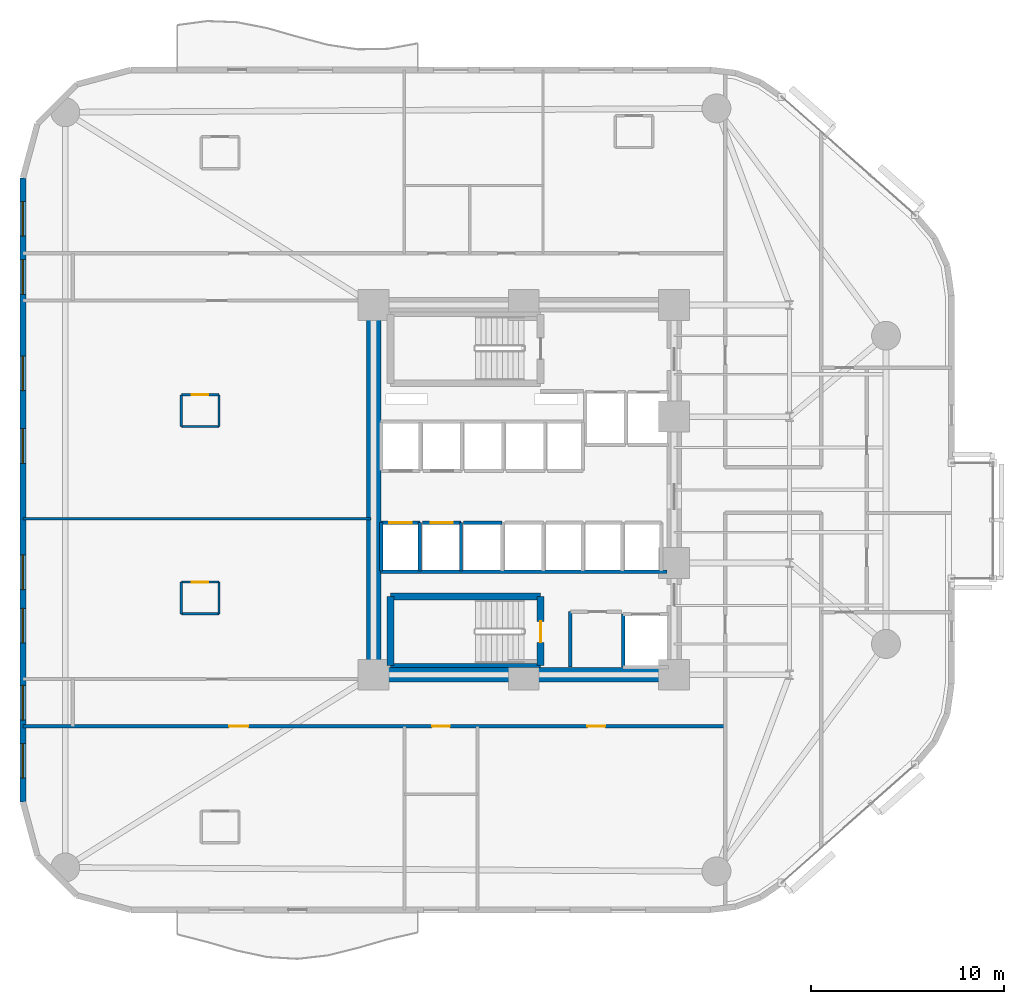
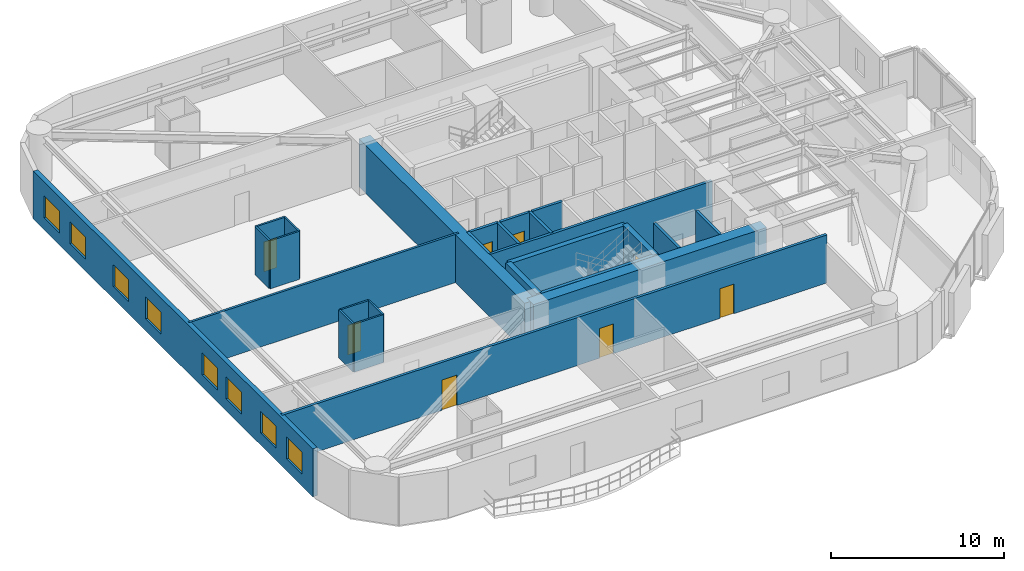
# One storey, part 10 of 16: 26 walls, 8 doors, 8 windows, 16 openings.
"""IFC4 building model written with IfcOpenShell, lengths in metres."""

from ifc_helpers import new_model, si_unit, direction, frame, frame_2d, origin, place, context, subcontext, project, spatial, rectangle, extrude, material, layer, layer_set, type_object, element, fill, save


model = new_model("IFC4")

# Units and contexts
model_context = context("Model", 3, precision=1e-05, world=origin(), true_north=direction((0.0, 1.0)))
body_context = subcontext(model_context, "Body", "Model", "MODEL_VIEW")
ifc_project = project(units=[si_unit("LENGTHUNIT", "METRE"), si_unit("AREAUNIT", "SQUARE_METRE"), si_unit("VOLUMEUNIT", "CUBIC_METRE"), si_unit("PLANEANGLEUNIT", "RADIAN"), si_unit("MASSUNIT", "GRAM", prefix="KILO")], contexts=[model_context])

# Site, building, storey
site_placement = place(None, origin())
site = spatial("IfcSite", under=ifc_project, at=site_placement, CompositionType="ELEMENT")
building_placement = place(site_placement, origin())
building = spatial("IfcBuilding", under=site, at=building_placement, Name="An Khanh Terracotta Commons", CompositionType="ELEMENT")
storey_placement = place(building_placement, frame((0.0, 0.0, 57.60009765625)))
storey = spatial("IfcBuildingStorey", under=building, at=storey_placement, Name="L15", CompositionType="ELEMENT", Elevation=57.60009765625)

# Walls
ifc_material_1 = material(Name="Concrete C70/85", Category="concrete")
ifc_layer_1 = layer(ifc_material_1, 0.75, Name="Concrete C70/85")
ifc_layer_set_1 = layer_set([ifc_layer_1], Name="Concrete C70/85")
wall_type_1 = type_object("IfcWallType", Name="WALL-CORE-750", PredefinedType="SHEAR", material=ifc_layer_set_1)
wall_1_placement = place(storey_placement, frame((21.60009765625, 14.39990234375, 0.0), z_axis=(0.0, 0.0, 1.0), x_axis=(0.0, 1.0, 0.0)))
element("IfcWall", 1, at=wall_1_placement, inside=storey, type_object=wall_type_1, Name="L15 Core Wall CWALL-L15-W", PredefinedType="SHEAR", context=body_context, shape_type="SweptSolid", body=[
    extrude(rectangle(XDim=19.2001953125, YDim=0.75, at=frame_2d((9.60009765625, 0.0))), origin(), (0.0, 0.0, 1.0), 3.39990234375),
])
wall_2_placement = place(storey_placement, frame((37.199951171875, 14.39990234375, 0.0), z_axis=(0.0, 0.0, 1.0), x_axis=(-1.0, 0.0, 0.0)))
element("IfcWall", 2, at=wall_2_placement, inside=storey, type_object=wall_type_1, Name="L15 Core Wall CWALL-L15-S", PredefinedType="SHEAR", context=body_context, shape_type="SweptSolid", body=[
    extrude(rectangle(XDim=15.599853515625, YDim=0.75, at=frame_2d((7.7998046875, 0.0))), origin(), (0.0, 0.0, 1.0), 3.39990234375),
])
ifc_material_2 = material(Name="Fire-Rated Gypsum Board on Steel Stud", Category="steel")
ifc_layer_2 = layer(ifc_material_2, 0.179931640625, Name="Fire-Rated Gypsum Board on Steel Stud")
ifc_layer_set_2 = layer_set([ifc_layer_2], Name="Fire-Rated Gypsum Board on Steel Stud")
wall_type_2 = type_object("IfcWallType", Name="WALL-CORR-180", PredefinedType="PARTITIONING", material=ifc_layer_set_2)
wall_3_placement = place(storey_placement, frame((21.949951171875, 19.760009765625, 0.0), z_axis=(0.0, 0.0, 1.0), x_axis=(1.0, 0.0, 0.0)))
element("IfcWall", 3, at=wall_3_placement, inside=storey, type_object=wall_type_2, Name="L15 Core Wall SVW-L15-N", PredefinedType="PARTITIONING", context=body_context, shape_type="SweptSolid", body=[
    extrude(rectangle(XDim=14.8701171875, YDim=0.179931640625, at=frame_2d((7.43505859375, 0.0))), origin(), (0.0, 0.0, 1.0), 3.39990234375),
])
wall_4_placement = place(storey_placement, frame((31.820068359375, 14.800048828125, 0.0), z_axis=(0.0, 0.0, 1.0), x_axis=(0.0, 1.0, 0.0)))
element("IfcWall", 4, at=wall_4_placement, inside=storey, type_object=wall_type_2, Name="L15 Core Wall SSVCW-L15-W", PredefinedType="PARTITIONING", context=body_context, shape_type="SweptSolid", body=[
    extrude(rectangle(XDim=2.8798828125, YDim=0.179931640625, at=frame_2d((1.43994140625, 0.0))), origin(), (0.0, 0.0, 1.0), 3.39990234375),
])
wall_5_placement = place(storey_placement, frame((34.550048828125, 17.550048828125, 0.0), z_axis=(0.0, 0.0, 1.0), x_axis=(0.0, -1.0, 0.0)))
element("IfcWall", 5, at=wall_5_placement, inside=storey, type_object=wall_type_2, Name="L15 Core Wall LSH-L15-SVL-01-W", PredefinedType="PARTITIONING", context=body_context, shape_type="SweptSolid", body=[
    extrude(rectangle(XDim=2.75, YDim=0.179931640625, at=frame_2d((1.375, 0.0))), origin(), (0.0, 0.0, 1.0), 3.39990234375),
])

# Wall, opening, door
wall_6_placement = place(storey_placement, frame((22.0, 22.300048828125, 0.0), z_axis=(0.0, 0.0, 1.0), x_axis=(1.0, 0.0, 0.0)))
wall_6 = element("IfcWall", 6, at=wall_6_placement, inside=storey, type_object=wall_type_2, Name="L15 Core Wall LSH-L15-PL-L3-N", PredefinedType="PARTITIONING", context=body_context, shape_type="SweptSolid", body=[
    extrude(rectangle(XDim=2.0, YDim=0.179931640625, at=frame_2d((1.0, 0.0))), origin(), (0.0, 0.0, 1.0), 3.39990234375),
])
opening_1_placement = place(wall_6_placement, frame((0.425048828125, 0.0, 0.0)))
opening_1 = element("IfcOpeningElement", 7, at=opening_1_placement, cuts=wall_6, Name="Opening LD-PL-L3-L15", PredefinedType="OPENING", context=body_context, shape_type="SweptSolid", body=[
    extrude(rectangle(XDim=1.14990234375, YDim=2.199951171875, at=frame_2d((0.574951171875, 1.10009765625))), frame((0.0, 0.099853515625, 0.0), z_axis=(0.0, -1.0, 0.0), x_axis=(1.0, 0.0, 0.0)), (0.0, 0.0, 1.0), 0.199951171875),
])
ifc_material_3 = material(Name="Brushed Stainless Steel Passenger Landing Door", Category="steel")
door_type_1 = type_object("IfcDoorType", Name="DOOR-LD-PAX-1150", OperationType="NOTDEFINED", PredefinedType="DOOR", material=ifc_material_3)
door_1_placement = place(opening_1_placement, origin())
door_1 = element("IfcDoor", 8, at=door_1_placement, inside=storey, type_object=door_type_1, Name="L15 Lift PL-L3 Sliding Landing Door", OperationType="DOUBLE_DOOR_SLIDING", OverallHeight=2.199951171875, OverallWidth=1.14990234375, PredefinedType="DOOR", context=body_context, shape_type="SweptSolid", body=[
    extrude(rectangle(XDim=1.14990234375, YDim=2.199951171875, at=frame_2d((0.574951171875, 1.10009765625))), frame((0.0, 0.02490234375, 0.0), z_axis=(0.0, -1.0, 0.0), x_axis=(1.0, 0.0, 0.0)), (0.0, 0.0, 1.0), 0.050048828125),
])
fill(opening_1, door_1)

# Walls
for number, where, z_axis, x_axis, name in (
    (9, (24.0, 19.800048828125, 0.0), (0.0, 0.0, 1.0), (0.0, 1.0, 0.0), "L15 Core Wall LSH-L15-PL-L3-E"),
    (10, (22.0, 22.300048828125, 0.0), (0.0, 0.0, 1.0), (0.0, -1.0, 0.0), "L15 Core Wall LSH-L15-PL-L3-W"),
):
    element("IfcWall", number, at=place(storey_placement, frame(where, z_axis=z_axis, x_axis=x_axis)), inside=storey, type_object=wall_type_2, Name=name, PredefinedType="PARTITIONING", context=body_context, shape_type="SweptSolid", body=[
        extrude(rectangle(XDim=2.5, YDim=0.179931640625, at=frame_2d((1.25, 0.0))), origin(), (0.0, 0.0, 1.0), 3.39990234375),
    ])

# Wall, opening, door
wall_7_placement = place(storey_placement, frame((24.139892578125, 22.300048828125, 0.0), z_axis=(0.0, 0.0, 1.0), x_axis=(1.0, 0.0, 0.0)))
wall_7 = element("IfcWall", 11, at=wall_7_placement, inside=storey, type_object=wall_type_2, Name="L15 Core Wall LSH-L15-PL-L4-N", PredefinedType="PARTITIONING", context=body_context, shape_type="SweptSolid", body=[
    extrude(rectangle(XDim=2.0, YDim=0.179931640625, at=frame_2d((1.0, 0.0))), origin(), (0.0, 0.0, 1.0), 3.39990234375),
])
opening_2_placement = place(wall_7_placement, frame((0.425048828125, 0.0, 0.0)))
opening_2 = element("IfcOpeningElement", 12, at=opening_2_placement, cuts=wall_7, Name="Opening LD-PL-L4-L15", PredefinedType="OPENING", context=body_context, shape_type="SweptSolid", body=[
    extrude(rectangle(XDim=1.14990234375, YDim=2.199951171875, at=frame_2d((0.574951171875, 1.10009765625))), frame((0.0, 0.099853515625, 0.0), z_axis=(0.0, -1.0, 0.0), x_axis=(1.0, 0.0, 0.0)), (0.0, 0.0, 1.0), 0.199951171875),
])
door_2_placement = place(opening_2_placement, origin())
door_2 = element("IfcDoor", 13, at=door_2_placement, inside=storey, type_object=door_type_1, Name="L15 Lift PL-L4 Sliding Landing Door", OperationType="DOUBLE_DOOR_SLIDING", OverallHeight=2.199951171875, OverallWidth=1.14990234375, PredefinedType="DOOR", context=body_context, shape_type="SweptSolid", body=[
    extrude(rectangle(XDim=1.14990234375, YDim=2.199951171875, at=frame_2d((0.574951171875, 1.10009765625))), frame((0.0, 0.02490234375, 0.0), z_axis=(0.0, -1.0, 0.0), x_axis=(1.0, 0.0, 0.0)), (0.0, 0.0, 1.0), 0.050048828125),
])
fill(opening_2, door_2)

# Walls
wall_8_placement = place(storey_placement, frame((26.139892578125, 19.800048828125, 0.0), z_axis=(0.0, 0.0, 1.0), x_axis=(0.0, 1.0, 0.0)))
element("IfcWall", 14, at=wall_8_placement, inside=storey, type_object=wall_type_2, Name="L15 Core Wall LSH-L15-PL-L4-E", PredefinedType="PARTITIONING", context=body_context, shape_type="SweptSolid", body=[
    extrude(rectangle(XDim=2.5, YDim=0.179931640625, at=frame_2d((1.25, 0.0))), origin(), (0.0, 0.0, 1.0), 3.39990234375),
])
wall_9_placement = place(storey_placement, frame((26.280029296875, 22.300048828125, 0.0), z_axis=(0.0, 0.0, 1.0), x_axis=(1.0, 0.0, 0.0)))
element("IfcWall", 15, at=wall_9_placement, inside=storey, type_object=wall_type_2, Name="L15 Core Wall LSH-L15-PL-M3-N", PredefinedType="PARTITIONING", context=body_context, shape_type="SweptSolid", body=[
    extrude(rectangle(XDim=2.0, YDim=0.179931640625, at=frame_2d((1.0, 0.0))), origin(), (0.0, 0.0, 1.0), 3.39990234375),
])

# Wall, openings, doors
wall_10_placement = place(storey_placement, frame((3.39990234375, 11.719970703125, 0.0), z_axis=(0.0, 0.0, 1.0), x_axis=(1.0, 0.0, 0.0)))
wall_10 = element("IfcWall", 16, at=wall_10_placement, inside=storey, type_object=wall_type_2, Name="L15 Interior Partition IW-L15-E002", PredefinedType="PARTITIONING", context=body_context, shape_type="SweptSolid", body=[
    extrude(rectangle(XDim=36.4501953125, YDim=0.179931640625, at=frame_2d((18.22509765625, 0.0))), origin(), (0.0, 0.0, 1.0), 3.39990234375),
])
opening_3_placement = place(wall_10_placement, frame((21.239990234375, 0.0, 0.0)))
opening_3 = element("IfcOpeningElement", 17, at=opening_3_placement, cuts=wall_10, Name="Opening D-RM", PredefinedType="OPENING", context=body_context, shape_type="SweptSolid", body=[
    extrude(rectangle(XDim=0.919921875, YDim=2.10009765625, at=frame_2d((0.4599609375, 1.050048828125))), frame((0.0, 0.099853515625, 0.0), z_axis=(0.0, -1.0, 0.0), x_axis=(1.0, 0.0, 0.0)), (0.0, 0.0, 1.0), 0.199951171875),
])
opening_4_placement = place(wall_10_placement, frame((10.699951171875, 0.0, 0.0)))
opening_4 = element("IfcOpeningElement", 18, at=opening_4_placement, cuts=wall_10, Name="Opening D-UN", PredefinedType="OPENING", context=body_context, shape_type="SweptSolid", body=[
    extrude(rectangle(XDim=1.0, YDim=2.14990234375, at=frame_2d((0.5, 1.074951171875))), frame((0.0, 0.099853515625, 0.0), z_axis=(0.0, -1.0, 0.0), x_axis=(1.0, 0.0, 0.0)), (0.0, 0.0, 1.0), 0.199951171875),
])
opening_5_placement = place(wall_10_placement, frame((29.304931640625, 0.0, 0.0)))
opening_5 = element("IfcOpeningElement", 19, at=opening_5_placement, cuts=wall_10, Name="Opening D-RM", PredefinedType="OPENING", context=body_context, shape_type="SweptSolid", body=[
    extrude(rectangle(XDim=0.919921875, YDim=2.10009765625, at=frame_2d((0.4599609375, 1.050048828125))), frame((0.0, 0.099853515625, 0.0), z_axis=(0.0, -1.0, 0.0), x_axis=(1.0, 0.0, 0.0)), (0.0, 0.0, 1.0), 0.199951171875),
])
ifc_material_4 = material(Name="Engineered Hardwood Timber Leaf", Category="wood")
door_type_2 = type_object("IfcDoorType", Name="DOOR-INT-920", OperationType="NOTDEFINED", PredefinedType="DOOR", material=ifc_material_4)
door_3_placement = place(opening_3_placement, origin())
door_3 = element("IfcDoor", 20, at=door_3_placement, inside=storey, type_object=door_type_2, Name="L15 HKP Housekeeping Linen Store Door", OperationType="SINGLE_SWING_RIGHT", OverallHeight=2.10009765625, OverallWidth=0.919921875, PredefinedType="DOOR", context=body_context, shape_type="SweptSolid", body=[
    extrude(rectangle(XDim=0.919921875, YDim=2.10009765625, at=frame_2d((0.4599609375, 1.050048828125))), frame((0.0, 0.02490234375, 0.0), z_axis=(0.0, -1.0, 0.0), x_axis=(1.0, 0.0, 0.0)), (0.0, 0.0, 1.0), 0.050048828125),
])
fill(opening_3, door_3)
door_4_placement = place(opening_5_placement, origin())
door_4 = element("IfcDoor", 21, at=door_4_placement, inside=storey, type_object=door_type_2, Name="L15 SWE Communal Kitchen and Dining Door", OperationType="SINGLE_SWING_RIGHT", OverallHeight=2.10009765625, OverallWidth=0.919921875, PredefinedType="DOOR", context=body_context, shape_type="SweptSolid", body=[
    extrude(rectangle(XDim=0.919921875, YDim=2.10009765625, at=frame_2d((0.4599609375, 1.050048828125))), frame((0.0, 0.02490234375, 0.0), z_axis=(0.0, -1.0, 0.0), x_axis=(1.0, 0.0, 0.0)), (0.0, 0.0, 1.0), 0.050048828125),
])
fill(opening_5, door_4)
ifc_material_5 = material(Name="Solid-Core Hardwood Acoustic Fire Door", Category="wood")
door_type_3 = type_object("IfcDoorType", Name="DOOR-UNIT-1000", OperationType="NOTDEFINED", PredefinedType="DOOR", material=ifc_material_5)
door_5_placement = place(opening_4_placement, origin())
door_5 = element("IfcDoor", 22, at=door_5_placement, inside=storey, type_object=door_type_3, Name="L15 SW1 Kitchenette and Studio Apartment Door", OperationType="SINGLE_SWING_LEFT", OverallHeight=2.14990234375, OverallWidth=1.0, PredefinedType="DOOR", context=body_context, shape_type="SweptSolid", body=[
    extrude(rectangle(XDim=1.0, YDim=2.14990234375, at=frame_2d((0.5, 1.074951171875))), frame((0.0, 0.02490234375, 0.0), z_axis=(0.0, -1.0, 0.0), x_axis=(1.0, 0.0, 0.0)), (0.0, 0.0, 1.0), 0.050048828125),
])
fill(opening_4, door_5)

# Wall, openings, windows
ifc_material_6 = material(Name="Precast concrete C40/50", Category="concrete")
ifc_layer_3 = layer(ifc_material_6, 0.300048828125, Name="Precast concrete C40/50")
ifc_layer_set_3 = layer_set([ifc_layer_3], Name="Precast concrete C40/50")
wall_type_3 = type_object("IfcWallType", Name="WALL-EXT-300", PredefinedType="SOLIDWALL", material=ifc_layer_set_3)
wall_11_placement = place(storey_placement, frame((3.39990234375, 40.199951171875, 0.0), z_axis=(0.0, 0.0, 1.0), x_axis=(0.0, -1.0, 0.0)))
wall_11 = element("IfcWall", 23, at=wall_11_placement, inside=storey, type_object=wall_type_3, Name="L15 Insulated Terracotta Exterior Wall 24", PredefinedType="SOLIDWALL", context=body_context, shape_type="SweptSolid", body=[
    extrude(rectangle(XDim=32.39990234375, YDim=0.300048828125, at=frame_2d((16.199951171875, 0.0))), origin(), (0.0, 0.0, 1.0), 3.39990234375),
])
opening_6_placement = place(wall_11_placement, frame((1.235107421875, 0.0, 0.85009765625)))
opening_6 = element("IfcOpeningElement", 24, at=opening_6_placement, cuts=wall_11, Name="Opening W-01", PredefinedType="OPENING", context=body_context, shape_type="SweptSolid", body=[
    extrude(rectangle(XDim=1.800048828125, YDim=1.550048828125, at=frame_2d((0.89990234375, 0.77490234375))), frame((0.0, 0.159912109375, 0.0), z_axis=(0.0, -1.0, 0.0), x_axis=(1.0, 0.0, 0.0)), (0.0, 0.0, 1.0), 0.320068359375),
])
opening_7_placement = place(wall_11_placement, frame((4.25, 0.0, 0.85009765625)))
opening_7 = element("IfcOpeningElement", 25, at=opening_7_placement, cuts=wall_11, Name="Opening W-01", PredefinedType="OPENING", context=body_context, shape_type="SweptSolid", body=[
    extrude(rectangle(XDim=1.800048828125, YDim=1.550048828125, at=frame_2d((0.89990234375, 0.77490234375))), frame((0.0, 0.159912109375, 0.0), z_axis=(0.0, -1.0, 0.0), x_axis=(1.0, 0.0, 0.0)), (0.0, 0.0, 1.0), 0.320068359375),
])
opening_8_placement = place(wall_11_placement, frame((9.2529296875, 0.0, 0.85009765625)))
opening_8 = element("IfcOpeningElement", 26, at=opening_8_placement, cuts=wall_11, Name="Opening W-01", PredefinedType="OPENING", context=body_context, shape_type="SweptSolid", body=[
    extrude(rectangle(XDim=1.800048828125, YDim=1.550048828125, at=frame_2d((0.89990234375, 0.77490234375))), frame((0.0, 0.159912109375, 0.0), z_axis=(0.0, -1.0, 0.0), x_axis=(1.0, 0.0, 0.0)), (0.0, 0.0, 1.0), 0.320068359375),
])
opening_9_placement = place(wall_11_placement, frame((13.027099609375, 0.0, 0.85009765625)))
opening_9 = element("IfcOpeningElement", 27, at=opening_9_placement, cuts=wall_11, Name="Opening W-01", PredefinedType="OPENING", context=body_context, shape_type="SweptSolid", body=[
    extrude(rectangle(XDim=1.800048828125, YDim=1.550048828125, at=frame_2d((0.89990234375, 0.77490234375))), frame((0.0, 0.159912109375, 0.0), z_axis=(0.0, -1.0, 0.0), x_axis=(1.0, 0.0, 0.0)), (0.0, 0.0, 1.0), 0.320068359375),
])
opening_10_placement = place(wall_11_placement, frame((19.572998046875, 0.0, 0.85009765625)))
opening_10 = element("IfcOpeningElement", 28, at=opening_10_placement, cuts=wall_11, Name="Opening W-01", PredefinedType="OPENING", context=body_context, shape_type="SweptSolid", body=[
    extrude(rectangle(XDim=1.800048828125, YDim=1.550048828125, at=frame_2d((0.89990234375, 0.77490234375))), frame((0.0, 0.159912109375, 0.0), z_axis=(0.0, -1.0, 0.0), x_axis=(1.0, 0.0, 0.0)), (0.0, 0.0, 1.0), 0.320068359375),
])
opening_11_placement = place(wall_11_placement, frame((22.346923828125, 0.0, 0.85009765625)))
opening_11 = element("IfcOpeningElement", 29, at=opening_11_placement, cuts=wall_11, Name="Opening W-01", PredefinedType="OPENING", context=body_context, shape_type="SweptSolid", body=[
    extrude(rectangle(XDim=1.800048828125, YDim=1.550048828125, at=frame_2d((0.89990234375, 0.77490234375))), frame((0.0, 0.159912109375, 0.0), z_axis=(0.0, -1.0, 0.0), x_axis=(1.0, 0.0, 0.0)), (0.0, 0.0, 1.0), 0.320068359375),
])
opening_12_placement = place(wall_11_placement, frame((26.35009765625, 0.0, 0.85009765625)))
opening_12 = element("IfcOpeningElement", 30, at=opening_12_placement, cuts=wall_11, Name="Opening W-01", PredefinedType="OPENING", context=body_context, shape_type="SweptSolid", body=[
    extrude(rectangle(XDim=1.800048828125, YDim=1.550048828125, at=frame_2d((0.89990234375, 0.77490234375))), frame((0.0, 0.159912109375, 0.0), z_axis=(0.0, -1.0, 0.0), x_axis=(1.0, 0.0, 0.0)), (0.0, 0.0, 1.0), 0.320068359375),
])
opening_13_placement = place(wall_11_placement, frame((29.364990234375, 0.0, 0.85009765625)))
opening_13 = element("IfcOpeningElement", 31, at=opening_13_placement, cuts=wall_11, Name="Opening W-01", PredefinedType="OPENING", context=body_context, shape_type="SweptSolid", body=[
    extrude(rectangle(XDim=1.800048828125, YDim=1.550048828125, at=frame_2d((0.89990234375, 0.77490234375))), frame((0.0, 0.159912109375, 0.0), z_axis=(0.0, -1.0, 0.0), x_axis=(1.0, 0.0, 0.0)), (0.0, 0.0, 1.0), 0.320068359375),
])
ifc_material_7 = material(Name="Thermally Broken Aluminium and Low-E Glass", Category="aluminium")
window_type = type_object("IfcWindowType", Name="WIN-Z1-1800x1550", PartitioningType="DOUBLE_PANEL_VERTICAL", PredefinedType="WINDOW", material=ifc_material_7)
window_1_placement = place(opening_6_placement, origin())
window_1 = element("IfcWindow", 32, at=window_1_placement, inside=storey, type_object=window_type, Name="L15 Operable Casement Window 24.1", OverallHeight=1.550048828125, OverallWidth=1.800048828125, PartitioningType="DOUBLE_PANEL_VERTICAL", PredefinedType="WINDOW", context=body_context, shape_type="SweptSolid", body=[
    extrude(rectangle(XDim=1.800048828125, YDim=1.550048828125, at=frame_2d((0.89990234375, 0.77490234375))), frame((0.0, 0.030029296875, 0.0), z_axis=(0.0, -1.0, 0.0), x_axis=(1.0, 0.0, 0.0)), (0.0, 0.0, 1.0), 0.06005859375),
])
fill(opening_6, window_1)
window_2_placement = place(opening_7_placement, origin())
window_2 = element("IfcWindow", 33, at=window_2_placement, inside=storey, type_object=window_type, Name="L15 Operable Casement Window 24.2", OverallHeight=1.550048828125, OverallWidth=1.800048828125, PartitioningType="DOUBLE_PANEL_VERTICAL", PredefinedType="WINDOW", context=body_context, shape_type="SweptSolid", body=[
    extrude(rectangle(XDim=1.800048828125, YDim=1.550048828125, at=frame_2d((0.89990234375, 0.77490234375))), frame((0.0, 0.030029296875, 0.0), z_axis=(0.0, -1.0, 0.0), x_axis=(1.0, 0.0, 0.0)), (0.0, 0.0, 1.0), 0.06005859375),
])
fill(opening_7, window_2)
window_3_placement = place(opening_8_placement, origin())
window_3 = element("IfcWindow", 34, at=window_3_placement, inside=storey, type_object=window_type, Name="L15 Operable Casement Window 24.3", OverallHeight=1.550048828125, OverallWidth=1.800048828125, PartitioningType="DOUBLE_PANEL_VERTICAL", PredefinedType="WINDOW", context=body_context, shape_type="SweptSolid", body=[
    extrude(rectangle(XDim=1.800048828125, YDim=1.550048828125, at=frame_2d((0.89990234375, 0.77490234375))), frame((0.0, 0.030029296875, 0.0), z_axis=(0.0, -1.0, 0.0), x_axis=(1.0, 0.0, 0.0)), (0.0, 0.0, 1.0), 0.06005859375),
])
fill(opening_8, window_3)
window_4_placement = place(opening_9_placement, origin())
window_4 = element("IfcWindow", 35, at=window_4_placement, inside=storey, type_object=window_type, Name="L15 Operable Casement Window 24.4", OverallHeight=1.550048828125, OverallWidth=1.800048828125, PartitioningType="DOUBLE_PANEL_VERTICAL", PredefinedType="WINDOW", context=body_context, shape_type="SweptSolid", body=[
    extrude(rectangle(XDim=1.800048828125, YDim=1.550048828125, at=frame_2d((0.89990234375, 0.77490234375))), frame((0.0, 0.030029296875, 0.0), z_axis=(0.0, -1.0, 0.0), x_axis=(1.0, 0.0, 0.0)), (0.0, 0.0, 1.0), 0.06005859375),
])
fill(opening_9, window_4)
window_5_placement = place(opening_10_placement, origin())
window_5 = element("IfcWindow", 36, at=window_5_placement, inside=storey, type_object=window_type, Name="L15 Operable Casement Window 24.5", OverallHeight=1.550048828125, OverallWidth=1.800048828125, PartitioningType="DOUBLE_PANEL_VERTICAL", PredefinedType="WINDOW", context=body_context, shape_type="SweptSolid", body=[
    extrude(rectangle(XDim=1.800048828125, YDim=1.550048828125, at=frame_2d((0.89990234375, 0.77490234375))), frame((0.0, 0.030029296875, 0.0), z_axis=(0.0, -1.0, 0.0), x_axis=(1.0, 0.0, 0.0)), (0.0, 0.0, 1.0), 0.06005859375),
])
fill(opening_10, window_5)
window_6_placement = place(opening_11_placement, origin())
window_6 = element("IfcWindow", 37, at=window_6_placement, inside=storey, type_object=window_type, Name="L15 Operable Casement Window 24.6", OverallHeight=1.550048828125, OverallWidth=1.800048828125, PartitioningType="DOUBLE_PANEL_VERTICAL", PredefinedType="WINDOW", context=body_context, shape_type="SweptSolid", body=[
    extrude(rectangle(XDim=1.800048828125, YDim=1.550048828125, at=frame_2d((0.89990234375, 0.77490234375))), frame((0.0, 0.030029296875, 0.0), z_axis=(0.0, -1.0, 0.0), x_axis=(1.0, 0.0, 0.0)), (0.0, 0.0, 1.0), 0.06005859375),
])
fill(opening_11, window_6)
window_7_placement = place(opening_12_placement, origin())
window_7 = element("IfcWindow", 38, at=window_7_placement, inside=storey, type_object=window_type, Name="L15 Operable Casement Window 24.7", OverallHeight=1.550048828125, OverallWidth=1.800048828125, PartitioningType="DOUBLE_PANEL_VERTICAL", PredefinedType="WINDOW", context=body_context, shape_type="SweptSolid", body=[
    extrude(rectangle(XDim=1.800048828125, YDim=1.550048828125, at=frame_2d((0.89990234375, 0.77490234375))), frame((0.0, 0.030029296875, 0.0), z_axis=(0.0, -1.0, 0.0), x_axis=(1.0, 0.0, 0.0)), (0.0, 0.0, 1.0), 0.06005859375),
])
fill(opening_12, window_7)
window_8_placement = place(opening_13_placement, origin())
window_8 = element("IfcWindow", 39, at=window_8_placement, inside=storey, type_object=window_type, Name="L15 Operable Casement Window 24.8", OverallHeight=1.550048828125, OverallWidth=1.800048828125, PartitioningType="DOUBLE_PANEL_VERTICAL", PredefinedType="WINDOW", context=body_context, shape_type="SweptSolid", body=[
    extrude(rectangle(XDim=1.800048828125, YDim=1.550048828125, at=frame_2d((0.89990234375, 0.77490234375))), frame((0.0, 0.030029296875, 0.0), z_axis=(0.0, -1.0, 0.0), x_axis=(1.0, 0.0, 0.0)), (0.0, 0.0, 1.0), 0.06005859375),
])
fill(opening_13, window_8)

# Walls
ifc_material_8 = material(Name="Acoustic Gypsum Board Partition")
ifc_layer_4 = layer(ifc_material_8, 0.14990234375, Name="Acoustic Gypsum Board Partition")
ifc_layer_set_4 = layer_set([ifc_layer_4], Name="Acoustic Gypsum Board Partition")
wall_type_4 = type_object("IfcWallType", Name="WALL-PART-150", PredefinedType="PARTITIONING", material=ifc_layer_set_4)
wall_12_placement = place(storey_placement, frame((3.39990234375, 22.5, 0.0), z_axis=(0.0, 0.0, 1.0), x_axis=(1.0, 0.0, 0.0)))
element("IfcWall", 40, at=wall_12_placement, inside=storey, type_object=wall_type_4, Name="L15 Interior Partition IW-L15-E005", PredefinedType="PARTITIONING", context=body_context, shape_type="SweptSolid", body=[
    extrude(rectangle(XDim=18.080078125, YDim=0.14990234375, at=frame_2d((9.0400390625, 0.0))), origin(), (0.0, 0.0, 1.0), 3.39990234375),
])
ifc_material_9 = material(Name="Acoustic Double-Stud Gypsum and Mineral Wool")
ifc_layer_5 = layer(ifc_material_9, 0.219970703125, Name="Acoustic Double-Stud Gypsum and Mineral Wool")
ifc_layer_set_5 = layer_set([ifc_layer_5], Name="Acoustic Double-Stud Gypsum and Mineral Wool")
wall_type_5 = type_object("IfcWallType", Name="WALL-PARTY-220", PredefinedType="PARTITIONING", material=ifc_layer_set_5)
wall_13_placement = place(storey_placement, frame((22.47998046875, 14.889892578125, 0.0), z_axis=(0.0, 0.0, 1.0), x_axis=(1.0, 0.0, 0.0)))
element("IfcWall", 41, at=wall_13_placement, inside=storey, type_object=wall_type_5, Name="L15 Core Wall STW-L15-S-S", PredefinedType="PARTITIONING", context=body_context, shape_type="SweptSolid", body=[
    extrude(rectangle(XDim=7.7900390625, YDim=0.219970703125, at=frame_2d((3.89501953125, 0.0))), origin(), (0.0, 0.0, 1.0), 3.39990234375),
])
ifc_material_10 = material(Name="Concrete C50/60", Category="concrete")
ifc_layer_6 = layer(ifc_material_10, 0.35009765625, Name="Concrete C50/60")
ifc_layer_set_6 = layer_set([ifc_layer_6], Name="Concrete C50/60")
wall_type_6 = type_object("IfcWallType", Name="WALL-SHAFT-350", PredefinedType="SOLIDWALL", material=ifc_layer_set_6)
wall_14_placement = place(storey_placement, frame((22.47998046875, 18.469970703125, 0.0), z_axis=(0.0, 0.0, 1.0), x_axis=(1.0, 0.0, 0.0)))
element("IfcWall", 42, at=wall_14_placement, inside=storey, type_object=wall_type_6, Name="L15 Core Wall STW-L15-S-N", PredefinedType="SOLIDWALL", context=body_context, shape_type="SweptSolid", body=[
    extrude(rectangle(XDim=7.7900390625, YDim=0.35009765625, at=frame_2d((3.89501953125, 0.0))), origin(), (0.0, 0.0, 1.0), 3.39990234375),
])
wall_15_placement = place(storey_placement, frame((22.47998046875, 14.889892578125, 0.0), z_axis=(0.0, 0.0, 1.0), x_axis=(0.0, 1.0, 0.0)))
element("IfcWall", 43, at=wall_15_placement, inside=storey, type_object=wall_type_6, Name="L15 Core Wall STW-L15-S-W", PredefinedType="SOLIDWALL", context=body_context, shape_type="SweptSolid", body=[
    extrude(rectangle(XDim=3.580078125, YDim=0.35009765625, at=frame_2d((1.7900390625, 0.0))), origin(), (0.0, 0.0, 1.0), 3.39990234375),
])

# Wall, opening, door
wall_16_placement = place(storey_placement, frame((30.27001953125, 14.889892578125, 0.0), z_axis=(0.0, 0.0, 1.0), x_axis=(0.0, 1.0, 0.0)))
wall_16 = element("IfcWall", 44, at=wall_16_placement, inside=storey, type_object=wall_type_6, Name="L15 Core Wall STW-L15-S-E", PredefinedType="SOLIDWALL", context=body_context, shape_type="SweptSolid", body=[
    extrude(rectangle(XDim=3.580078125, YDim=0.35009765625, at=frame_2d((1.7900390625, 0.0))), origin(), (0.0, 0.0, 1.0), 3.39990234375),
])
opening_14_placement = place(wall_16_placement, frame((1.18994140625, 0.0, 0.0)))
opening_14 = element("IfcOpeningElement", 45, at=opening_14_placement, cuts=wall_16, Name="Opening D-ST", PredefinedType="OPENING", context=body_context, shape_type="SweptSolid", body=[
    extrude(rectangle(XDim=1.10009765625, YDim=2.14990234375, at=frame_2d((0.550048828125, 1.074951171875))), frame((0.0, 0.18505859375, 0.0), z_axis=(0.0, -1.0, 0.0), x_axis=(1.0, 0.0, 0.0)), (0.0, 0.0, 1.0), 0.3701171875),
])
ifc_material_11 = material(Name="Fire-Rated Steel Leaf and Frame", Category="steel")
door_type_4 = type_object("IfcDoorType", Name="DOOR-STAIR-1100", OperationType="NOTDEFINED", PredefinedType="DOOR", material=ifc_material_11)
door_6_placement = place(opening_14_placement, origin())
door_6 = element("IfcDoor", 46, at=door_6_placement, inside=storey, type_object=door_type_4, Name="L15 Stair ST-02 Fire Door", OperationType="SINGLE_SWING_LEFT", OverallHeight=2.14990234375, OverallWidth=1.10009765625, PredefinedType="DOOR", context=body_context, shape_type="SweptSolid", body=[
    extrude(rectangle(XDim=1.10009765625, YDim=2.14990234375, at=frame_2d((0.550048828125, 1.074951171875))), frame((0.0, 0.02490234375, 0.0), z_axis=(0.0, -1.0, 0.0), x_axis=(1.0, 0.0, 0.0)), (0.0, 0.0, 1.0), 0.050048828125),
])
fill(opening_14, door_6)

ifc_material_12 = material(Name="Moisture-Resistant Cement Board Partition")
ifc_layer_7 = layer(ifc_material_12, 0.1201171875, Name="Moisture-Resistant Cement Board Partition")
ifc_layer_set_7 = layer_set([ifc_layer_7], Name="Moisture-Resistant Cement Board Partition")
wall_type_7 = type_object("IfcWallType", Name="WALL-WET-120", PredefinedType="PARTITIONING", material=ifc_layer_set_7)
wall_17_placement = place(storey_placement, frame((11.625, 19.215087890625, 0.0), z_axis=(0.0, 0.0, 1.0), x_axis=(1.0, 0.0, 0.0)))
wall_17 = element("IfcWall", 47, at=wall_17_placement, inside=storey, type_object=wall_type_7, Name="L15 Interior Partition IW-L15-WW1-BN", PredefinedType="PARTITIONING", context=body_context, shape_type="SweptSolid", body=[
    extrude(rectangle(XDim=1.949951171875, YDim=0.1201171875, at=frame_2d((0.97509765625, 0.0))), origin(), (0.0, 0.0, 1.0), 3.39990234375),
])
opening_15_placement = place(wall_17_placement, frame((0.544921875, 0.0, 0.0)))
opening_15 = element("IfcOpeningElement", 48, at=opening_15_placement, cuts=wall_17, Name="Opening D-ENS", PredefinedType="OPENING", context=body_context, shape_type="SweptSolid", body=[
    extrude(rectangle(XDim=0.860107421875, YDim=2.10009765625, at=frame_2d((0.43017578125, 1.050048828125))), frame((0.0, 0.070068359375, 0.0), z_axis=(0.0, -1.0, 0.0), x_axis=(1.0, 0.0, 0.0)), (0.0, 0.0, 1.0), 0.14013671875),
])
ifc_material_13 = material(Name="Moisture-Resistant Hardwood Timber Leaf", Category="wood")
door_type_5 = type_object("IfcDoorType", Name="DOOR-BATH-860", OperationType="NOTDEFINED", PredefinedType="DOOR", material=ifc_material_13)
door_7_placement = place(opening_15_placement, origin())
door_7 = element("IfcDoor", 49, at=door_7_placement, inside=storey, type_object=door_type_5, Name="L15 Studio WW1 En-suite Door", OperationType="SINGLE_SWING_RIGHT", OverallHeight=2.10009765625, OverallWidth=0.860107421875, PredefinedType="DOOR", context=body_context, shape_type="SweptSolid", body=[
    extrude(rectangle(XDim=0.860107421875, YDim=2.10009765625, at=frame_2d((0.43017578125, 1.050048828125))), frame((0.0, 0.02490234375, 0.0), z_axis=(0.0, -1.0, 0.0), x_axis=(1.0, 0.0, 0.0)), (0.0, 0.0, 1.0), 0.050048828125),
])
fill(opening_15, door_7)

# Walls
wall_18_placement = place(storey_placement, frame((13.574951171875, 17.56494140625, 0.0), z_axis=(0.0, 0.0, 1.0), x_axis=(-1.0, 0.0, 0.0)))
element("IfcWall", 50, at=wall_18_placement, inside=storey, type_object=wall_type_7, Name="L15 Interior Partition IW-L15-WW1-BS", PredefinedType="PARTITIONING", context=body_context, shape_type="SweptSolid", body=[
    extrude(rectangle(XDim=1.949951171875, YDim=0.1201171875, at=frame_2d((0.97509765625, 0.0))), origin(), (0.0, 0.0, 1.0), 3.39990234375),
])
for number, where, z_axis, x_axis, name in (
    (51, (11.625, 19.215087890625, 0.0), (0.0, 0.0, 1.0), (0.0, -1.0, 0.0), "L15 Interior Partition IW-L15-WW1-BW"),
    (52, (13.574951171875, 17.56494140625, 0.0), (0.0, 0.0, 1.0), (0.0, 1.0, 0.0), "L15 Interior Partition IW-L15-WW1-BE"),
):
    element("IfcWall", number, at=place(storey_placement, frame(where, z_axis=z_axis, x_axis=x_axis)), inside=storey, type_object=wall_type_7, Name=name, PredefinedType="PARTITIONING", context=body_context, shape_type="SweptSolid", body=[
        extrude(rectangle(XDim=1.650146484375, YDim=0.1201171875, at=frame_2d((0.8251953125, 0.0))), origin(), (0.0, 0.0, 1.0), 3.39990234375),
    ])

# Wall, opening, door
wall_19_placement = place(storey_placement, frame((11.625, 28.93505859375, 0.0), z_axis=(0.0, 0.0, 1.0), x_axis=(1.0, 0.0, 0.0)))
wall_19 = element("IfcWall", 53, at=wall_19_placement, inside=storey, type_object=wall_type_7, Name="L15 Interior Partition IW-L15-WW2-BN", PredefinedType="PARTITIONING", context=body_context, shape_type="SweptSolid", body=[
    extrude(rectangle(XDim=1.949951171875, YDim=0.1201171875, at=frame_2d((0.97509765625, 0.0))), origin(), (0.0, 0.0, 1.0), 3.39990234375),
])
opening_16_placement = place(wall_19_placement, frame((0.544921875, 0.0, 0.0)))
opening_16 = element("IfcOpeningElement", 54, at=opening_16_placement, cuts=wall_19, Name="Opening D-ENS", PredefinedType="OPENING", context=body_context, shape_type="SweptSolid", body=[
    extrude(rectangle(XDim=0.860107421875, YDim=2.10009765625, at=frame_2d((0.43017578125, 1.050048828125))), frame((0.0, 0.070068359375, 0.0), z_axis=(0.0, -1.0, 0.0), x_axis=(1.0, 0.0, 0.0)), (0.0, 0.0, 1.0), 0.14013671875),
])
door_8_placement = place(opening_16_placement, origin())
door_8 = element("IfcDoor", 55, at=door_8_placement, inside=storey, type_object=door_type_5, Name="L15 Studio WW2 En-suite Door", OperationType="SINGLE_SWING_LEFT", OverallHeight=2.10009765625, OverallWidth=0.860107421875, PredefinedType="DOOR", context=body_context, shape_type="SweptSolid", body=[
    extrude(rectangle(XDim=0.860107421875, YDim=2.10009765625, at=frame_2d((0.43017578125, 1.050048828125))), frame((0.0, 0.02490234375, 0.0), z_axis=(0.0, -1.0, 0.0), x_axis=(1.0, 0.0, 0.0)), (0.0, 0.0, 1.0), 0.050048828125),
])
fill(opening_16, door_8)

# Walls
wall_20_placement = place(storey_placement, frame((13.574951171875, 27.284912109375, 0.0), z_axis=(0.0, 0.0, 1.0), x_axis=(-1.0, 0.0, 0.0)))
element("IfcWall", 56, at=wall_20_placement, inside=storey, type_object=wall_type_7, Name="L15 Interior Partition IW-L15-WW2-BS", PredefinedType="PARTITIONING", context=body_context, shape_type="SweptSolid", body=[
    extrude(rectangle(XDim=1.949951171875, YDim=0.1201171875, at=frame_2d((0.97509765625, 0.0))), origin(), (0.0, 0.0, 1.0), 3.39990234375),
])
for number, where, z_axis, x_axis, name in (
    (57, (11.625, 28.93505859375, 0.0), (0.0, 0.0, 1.0), (0.0, -1.0, 0.0), "L15 Interior Partition IW-L15-WW2-BW"),
    (58, (13.574951171875, 27.284912109375, 0.0), (0.0, 0.0, 1.0), (0.0, 1.0, 0.0), "L15 Interior Partition IW-L15-WW2-BE"),
):
    element("IfcWall", number, at=place(storey_placement, frame(where, z_axis=z_axis, x_axis=x_axis)), inside=storey, type_object=wall_type_7, Name=name, PredefinedType="PARTITIONING", context=body_context, shape_type="SweptSolid", body=[
        extrude(rectangle(XDim=1.650146484375, YDim=0.1201171875, at=frame_2d((0.8251953125, 0.0))), origin(), (0.0, 0.0, 1.0), 3.39990234375),
    ])

save(model, "model.ifc")
